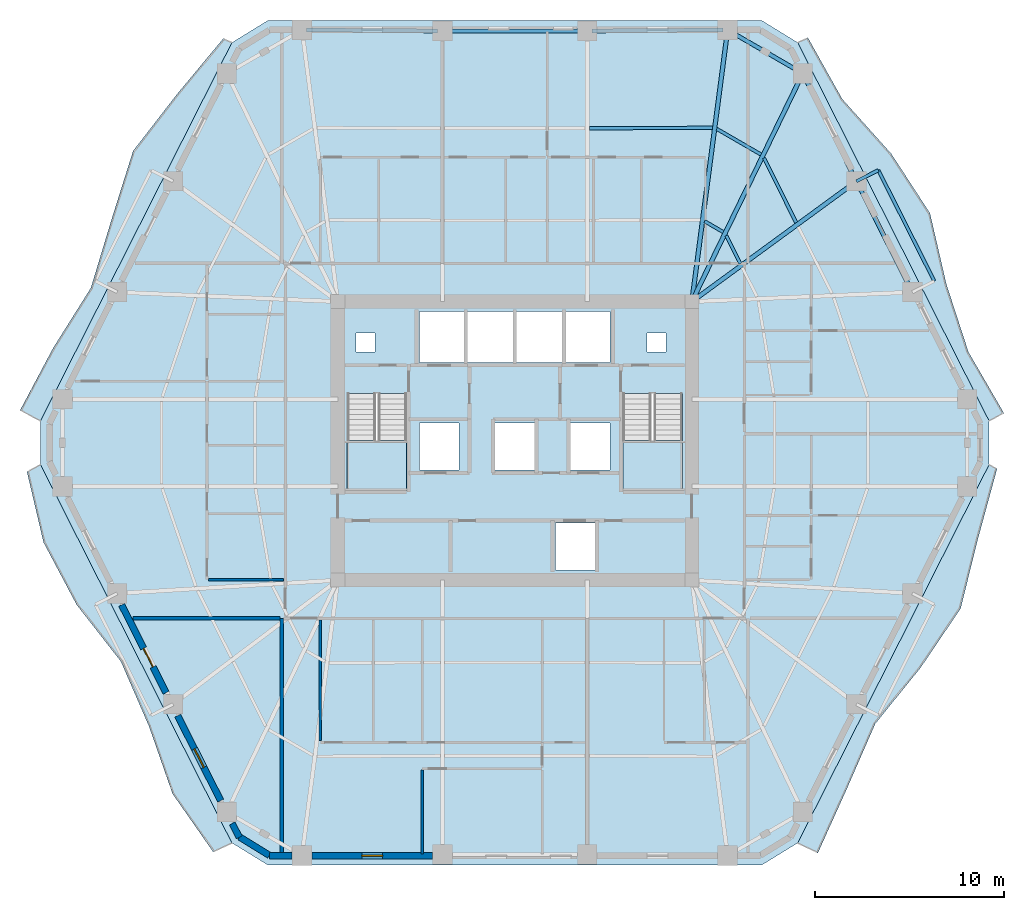
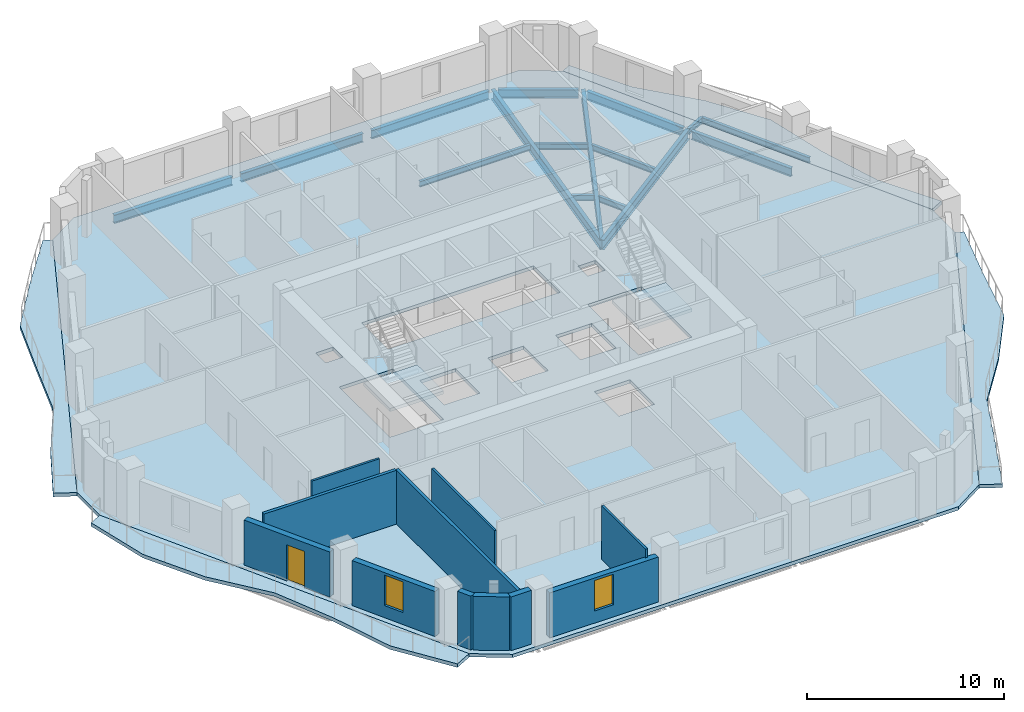
# One storey, part 3 of 11: 16 beams, 11 walls, 7 slabs, 2 windows, 1 door, 3 openings, 2 elements without a shape of their own.
"""IFC4 building model written with IfcOpenShell, lengths in metres."""

from ifc_helpers import new_model, si_unit, direction, frame, frame_2d, origin, origin_2d, place, context, subcontext, project, spatial, polyline, rectangle, i_section, outline, extrude, material, layer, layer_set, material_profile, profile_set, type_object, element, fill, aggregate, save


model = new_model("IFC4")

# Units and contexts
model_context = context("Model", 3, precision=1e-05, world=origin(), true_north=direction((0.0, 1.0)))
body_context = subcontext(model_context, "Body", "Model", "MODEL_VIEW")
ifc_project = project(units=[si_unit("LENGTHUNIT", "METRE"), si_unit("AREAUNIT", "SQUARE_METRE"), si_unit("VOLUMEUNIT", "CUBIC_METRE"), si_unit("PLANEANGLEUNIT", "RADIAN"), si_unit("MASSUNIT", "GRAM", prefix="KILO")], contexts=[model_context])

# Site, building, storey
site_placement = place(None, origin())
site = spatial("IfcSite", under=ifc_project, at=site_placement, CompositionType="ELEMENT")
building_placement = place(site_placement, origin())
building = spatial("IfcBuilding", under=site, at=building_placement, Name="Cinnabar Lancet Tower", CompositionType="ELEMENT")
storey_placement = place(building_placement, frame((0.0, 0.0, 105.5)))
storey = spatial("IfcBuildingStorey", under=building, at=storey_placement, Name="L27", CompositionType="ELEMENT", Elevation=105.5)

# Beams
ifc_material_1 = material(Name="Structural steel S355", Category="steel")
ifc_material_profile_1 = material_profile(ifc_material_1, i_section(OverallWidth=0.17138671875, OverallDepth=0.35498046875, WebThickness=0.00732421875, FlangeThickness=0.011474609375, FilletRadius=0.01025390625, at=origin_2d()), Name="UKB 356x171x51")
ifc_profile_set_1 = profile_set([ifc_material_profile_1], Name="Structural steel S355")
beam_type_1 = type_object("IfcBeamType", Name="STR-BM-JST-356", PredefinedType="JOIST", material=ifc_profile_set_1)
beam_1_placement = place(storey_placement, frame((47.300048828125, 37.455078125, -0.386962890625), z_axis=(-0.445116798807, 0.895472520751, 0.0), x_axis=(-0.895472520751, -0.445116798807, 0.0)))
element("IfcBeam", 1, at=beam_1_placement, inside=storey, type_object=beam_type_1, Name="L27 Secondary Floor Joist 29", PredefinedType="JOIST", context=body_context, shape_type="SweptSolid", body=[
    extrude(i_section(OverallWidth=0.17138671875, OverallDepth=0.35498046875, WebThickness=0.00732421875, FlangeThickness=0.011474609375, FilletRadius=0.01025390625, at=origin_2d()), origin(), (0.0, 0.0, 1.0), 3.8212890625),
])
beam_2_placement = place(storey_placement, frame((44.337890625, 35.2900390625, -0.386962890625), z_axis=(-0.445677136949, 0.895193772097, 0.0), x_axis=(-0.895193772097, -0.445677136949, 0.0)))
element("IfcBeam", 2, at=beam_2_placement, inside=storey, type_object=beam_type_1, Name="L27 Secondary Floor Joist 30", PredefinedType="JOIST", context=body_context, shape_type="SweptSolid", body=[
    extrude(i_section(OverallWidth=0.17138671875, OverallDepth=0.35498046875, WebThickness=0.00732421875, FlangeThickness=0.011474609375, FilletRadius=0.01025390625, at=origin_2d()), origin(), (0.0, 0.0, 1.0), 1.6533203125),
])
beam_3_placement = place(storey_placement, frame((45.43505859375, 41.06298828125, -0.386962890625), z_axis=(-0.865172906898, 0.501473669469, 0.0), x_axis=(-0.501473669469, -0.865172906898, 0.0)))
element("IfcBeam", 3, at=beam_3_placement, inside=storey, type_object=beam_type_1, Name="L27 Secondary Floor Joist 31", PredefinedType="JOIST", context=body_context, shape_type="SweptSolid", body=[
    extrude(i_section(OverallWidth=0.17138671875, OverallDepth=0.35498046875, WebThickness=0.00732421875, FlangeThickness=0.011474609375, FilletRadius=0.01025390625, at=origin_2d()), origin(), (0.0, 0.0, 1.0), 2.705810546875),
])
beam_4_placement = place(storey_placement, frame((43.43798828125, 36.9560546875, -0.386962890625), z_axis=(-0.865055308165, 0.501676503154, 0.0), x_axis=(-0.501676503154, -0.865055308165, 0.0)))
element("IfcBeam", 4, at=beam_4_placement, inside=storey, type_object=beam_type_1, Name="L27 Secondary Floor Joist 32", PredefinedType="JOIST", context=body_context, shape_type="SweptSolid", body=[
    extrude(i_section(OverallWidth=0.17138671875, OverallDepth=0.35498046875, WebThickness=0.00732421875, FlangeThickness=0.011474609375, FilletRadius=0.01025390625, at=origin_2d()), origin(), (0.0, 0.0, 1.0), 1.14208984375),
])
beam_5_placement = place(storey_placement, frame((42.8720703125, 42.48095703125, -0.386962890625), z_axis=(-0.999987991898, -0.004900618269, 0.0), x_axis=(0.004900618269, -0.999987991898, 0.0)))
element("IfcBeam", 5, at=beam_5_placement, inside=storey, type_object=beam_type_1, Name="L27 Secondary Floor Joist 33", PredefinedType="JOIST", context=body_context, shape_type="SweptSolid", body=[
    extrude(i_section(OverallWidth=0.17138671875, OverallDepth=0.35498046875, WebThickness=0.00732421875, FlangeThickness=0.011474609375, FilletRadius=0.01025390625, at=origin_2d()), origin(), (0.0, 0.0, 1.0), 6.526123046875),
])
ifc_material_2 = material(Name="Structural steel S355", Category="steel")
ifc_material_profile_2 = material_profile(ifc_material_2, i_section(OverallWidth=0.209228515625, OverallDepth=0.533203125, WebThickness=0.010009765625, FlangeThickness=0.015625, FilletRadius=0.0126953125, at=origin_2d()), Name="UKB 533x210x92")
ifc_profile_set_2 = profile_set([ifc_material_profile_2], Name="Structural steel S355")
beam_type_2 = type_object("IfcBeamType", Name="STR-BM-SPN-533", PredefinedType="SPANDREL", material=ifc_profile_set_2)
beam_6_placement = place(storey_placement, frame((53.339111328125, 33.9990234375, -0.47705078125), z_axis=(-0.450570325924, 0.892740937449, 0.0), x_axis=(-0.892740937449, -0.450570325924, 0.0)))
element("IfcBeam", 6, at=beam_6_placement, inside=storey, type_object=beam_type_2, Name="L27 Perimeter Spandrel 10", PredefinedType="SPANDREL", context=body_context, shape_type="SweptSolid", body=[
    extrude(i_section(OverallWidth=0.209228515625, OverallDepth=0.533203125, WebThickness=0.010009765625, FlangeThickness=0.015625, FilletRadius=0.0126953125, at=origin_2d()), origin(), (0.0, 0.0, 1.0), 6.07470703125),
])
beam_7_placement = place(storey_placement, frame((50.3779296875, 39.868896484375, -0.47705078125), z_axis=(-0.445501068635, 0.89528140707, 0.0), x_axis=(-0.89528140707, -0.445501068635, 0.0)))
element("IfcBeam", 7, at=beam_7_placement, inside=storey, type_object=beam_type_2, Name="L27 Perimeter Spandrel 11", PredefinedType="SPANDREL", context=body_context, shape_type="SweptSolid", body=[
    extrude(i_section(OverallWidth=0.209228515625, OverallDepth=0.533203125, WebThickness=0.010009765625, FlangeThickness=0.015625, FilletRadius=0.0126953125, at=origin_2d()), origin(), (0.0, 0.0, 1.0), 5.87646484375),
])
beam_8_placement = place(storey_placement, frame((47.43310546875, 45.47900390625, -0.47705078125), z_axis=(-0.865138129765, 0.5015336643, 0.0), x_axis=(-0.5015336643, -0.865138129765, 0.0)))
element("IfcBeam", 8, at=beam_8_placement, inside=storey, type_object=beam_type_2, Name="L27 Perimeter Spandrel 12", PredefinedType="SPANDREL", context=body_context, shape_type="SweptSolid", body=[
    extrude(i_section(OverallWidth=0.209228515625, OverallDepth=0.533203125, WebThickness=0.010009765625, FlangeThickness=0.015625, FilletRadius=0.0126953125, at=origin_2d()), origin(), (0.0, 0.0, 1.0), 4.10107421875),
])
beam_9_placement = place(storey_placement, frame((43.4189453125, 47.658935546875, -0.47705078125), z_axis=(-0.999975228682, -0.007038609338, 0.0), x_axis=(0.007038609338, -0.999975228682, 0.0)))
element("IfcBeam", 9, at=beam_9_placement, inside=storey, type_object=beam_type_2, Name="L27 Perimeter Spandrel 13", PredefinedType="SPANDREL", context=body_context, shape_type="SweptSolid", body=[
    extrude(i_section(OverallWidth=0.209228515625, OverallDepth=0.533203125, WebThickness=0.010009765625, FlangeThickness=0.015625, FilletRadius=0.0126953125, at=origin_2d()), origin(), (0.0, 0.0, 1.0), 6.937255859375),
])
beam_10_placement = place(storey_placement, frame((35.98193359375, 47.60791015625, -0.47705078125), z_axis=(-1.0, 0.0, 0.0), x_axis=(0.0, -1.0, 0.0)))
element("IfcBeam", 10, at=beam_10_placement, inside=storey, type_object=beam_type_2, Name="L27 Perimeter Spandrel 14", PredefinedType="SPANDREL", context=body_context, shape_type="SweptSolid", body=[
    extrude(i_section(OverallWidth=0.209228515625, OverallDepth=0.533203125, WebThickness=0.010009765625, FlangeThickness=0.015625, FilletRadius=0.0126953125, at=origin_2d()), origin(), (0.0, 0.0, 1.0), 7.163818359375),
])
beam_11_placement = place(storey_placement, frame((28.318115234375, 47.610107421875, -0.47705078125), z_axis=(-0.999975228682, 0.007038609338, 0.0), x_axis=(-0.007038609338, -0.999975228682, 0.0)))
element("IfcBeam", 11, at=beam_11_placement, inside=storey, type_object=beam_type_2, Name="L27 Perimeter Spandrel 15", PredefinedType="SPANDREL", context=body_context, shape_type="SweptSolid", body=[
    extrude(i_section(OverallWidth=0.209228515625, OverallDepth=0.533203125, WebThickness=0.010009765625, FlangeThickness=0.015625, FilletRadius=0.0126953125, at=origin_2d()), origin(), (0.0, 0.0, 1.0), 6.937255859375),
])
ifc_material_3 = material(Name="Structural steel S355", Category="steel")
ifc_material_profile_3 = material_profile(ifc_material_3, i_section(OverallWidth=0.228271484375, OverallDepth=0.607666015625, WebThickness=0.010986328125, FlangeThickness=0.017333984375, FilletRadius=0.0126953125, at=origin_2d()), Name="UKB 610x229x113")
ifc_profile_set_3 = profile_set([ifc_material_profile_3], Name="Structural steel S355")
beam_type_3 = type_object("IfcBeamType", Name="STR-BM-UKB610-113", PredefinedType="BEAM", material=ifc_profile_set_3)
beam_12_placement = place(storey_placement, frame((50.489013671875, 39.64501953125, -0.513916015625), z_axis=(-0.807297870919, -0.590144175273, 0.0), x_axis=(0.590144175273, -0.807297870919, 0.0)))
element("IfcBeam", 12, at=beam_12_placement, inside=storey, type_object=beam_type_3, Name="L27 Corner Collector Girder 3", PredefinedType="BEAM", context=body_context, shape_type="SweptSolid", body=[
    extrude(i_section(OverallWidth=0.228271484375, OverallDepth=0.607666015625, WebThickness=0.010986328125, FlangeThickness=0.017333984375, FilletRadius=0.0126953125, at=origin_2d()), origin(), (0.0, 0.0, 1.0), 10.794189453125),
])
beam_13_placement = place(storey_placement, frame((47.64892578125, 45.35400390625, -0.513916015625), z_axis=(-0.437327473227, -0.899302330232, 0.0), x_axis=(0.899302330232, -0.437327473227, 0.0)))
element("IfcBeam", 13, at=beam_13_placement, inside=storey, type_object=beam_type_3, Name="L27 Primary Floor Girder 12", PredefinedType="BEAM", context=body_context, shape_type="SweptSolid", body=[
    extrude(i_section(OverallWidth=0.228271484375, OverallDepth=0.607666015625, WebThickness=0.010986328125, FlangeThickness=0.017333984375, FilletRadius=0.0126953125, at=origin_2d()), origin(), (0.0, 0.0, 1.0), 13.431640625),
])
beam_14_placement = place(storey_placement, frame((43.6689453125, 47.660888671875, -0.513916015625), z_axis=(-0.130532420418, -0.991444041396, 0.0), x_axis=(0.991444041396, -0.130532420418, 0.0)))
element("IfcBeam", 14, at=beam_14_placement, inside=storey, type_object=beam_type_3, Name="L27 Primary Floor Girder 13", PredefinedType="BEAM", context=body_context, shape_type="SweptSolid", body=[
    extrude(i_section(OverallWidth=0.228271484375, OverallDepth=0.607666015625, WebThickness=0.010986328125, FlangeThickness=0.017333984375, FilletRadius=0.0126953125, at=origin_2d()), origin(), (0.0, 0.0, 1.0), 14.51025390625),
])
ifc_material_4 = material(Name="Structural steel S355", Category="steel")
ifc_material_profile_4 = material_profile(ifc_material_4, i_section(OverallWidth=0.17138671875, OverallDepth=0.35498046875, WebThickness=0.00732421875, FlangeThickness=0.011474609375, FilletRadius=0.01025390625, at=origin_2d()), Name="UKB 356x171x51")
ifc_profile_set_4 = profile_set([ifc_material_profile_4], Name="Structural steel S355")
beam_type_4 = type_object("IfcBeamType", Name="STR-BM-WAV-OUT", PredefinedType="BEAM", material=ifc_profile_set_4)
beam_15_placement = place(storey_placement, frame((50.489013671875, 39.64501953125, -0.39697265625), z_axis=(0.89227592947, 0.451490493464, 0.0), x_axis=(-0.451490493464, 0.89227592947, 0.0)))
element("IfcBeam", 15, at=beam_15_placement, inside=storey, type_object=beam_type_4, Name="L27 Face 3 Balcony Outlooker B", PredefinedType="BEAM", context=body_context, shape_type="SweptSolid", body=[
    extrude(i_section(OverallWidth=0.17138671875, OverallDepth=0.35498046875, WebThickness=0.00732421875, FlangeThickness=0.011474609375, FilletRadius=0.01025390625, at=origin_2d()), origin(), (0.0, 0.0, 1.0), 1.300048828125),
])
ifc_material_5 = material(Name="Structural steel S355", Category="steel")
ifc_material_profile_5 = material_profile(ifc_material_5, i_section(OverallWidth=0.17138671875, OverallDepth=0.35498046875, WebThickness=0.00732421875, FlangeThickness=0.011474609375, FilletRadius=0.01025390625, at=origin_2d()), Name="UKB 356x171x51")
ifc_profile_set_5 = profile_set([ifc_material_profile_5], Name="Structural steel S355")
beam_type_5 = type_object("IfcBeamType", Name="STR-BM-WAV-TRIM", PredefinedType="SPANDREL", material=ifc_profile_set_5)
beam_16_placement = place(storey_placement, frame((54.612060546875, 34.363037109375, -0.39697265625), z_axis=(-0.450700828166, 0.892675060417, 0.0), x_axis=(-0.892675060417, -0.450700828166, 0.0)))
element("IfcBeam", 16, at=beam_16_placement, inside=storey, type_object=beam_type_5, Name="L27 Face 3 Balcony Edge Trimmer", PredefinedType="SPANDREL", context=body_context, shape_type="SweptSolid", body=[
    extrude(i_section(OverallWidth=0.17138671875, OverallDepth=0.35498046875, WebThickness=0.00732421875, FlangeThickness=0.011474609375, FilletRadius=0.01025390625, at=origin_2d()), origin(), (0.0, 0.0, 1.0), 6.574462890625),
])

# Stair, slab
ifc_material_6 = material(Name="Concrete C40/50", Category="concrete")
stair_type = type_object("IfcStairType", Name="ST-CORE", PredefinedType="HALF_TURN_STAIR", material=ifc_material_6)
stair_1_placement = place(storey_placement, origin())
stair_1 = element("IfcStair", 17, at=stair_1_placement, inside=storey, type_object=stair_type, Name="L27 ST-1", PredefinedType="HALF_TURN_STAIR")
ifc_material_7 = material(Name="Concrete C40/50", Category="concrete")
ifc_layer_1 = layer(ifc_material_7, 0.199951171875)
ifc_layer_set_1 = layer_set([ifc_layer_1], Name="Concrete C40/50")
slab_type_1 = type_object("IfcSlabType", Name="LANDING-CORE", PredefinedType="LANDING", material=ifc_layer_set_1)
slab_1_placement = place(storey_placement, frame((0.0, 0.0, 1.574951171875)))
slab_1 = element("IfcSlab", 18, at=slab_1_placement, type_object=slab_type_1, Name="ST-1 landing 1", PredefinedType="LANDING", context=body_context, shape_type="SweptSolid", body=[
    extrude(outline(polyline([(23.52490234375, 25.925048828125), (23.52490234375, 23.25), (26.675048828125, 23.25), (26.675048828125, 25.925048828125), (23.52490234375, 25.925048828125)])), origin(), (0.0, 0.0, 1.0), 0.199951171875),
])
aggregate(stair_1, [slab_1])

stair_2_placement = place(storey_placement, origin())
stair_2 = element("IfcStair", 19, at=stair_2_placement, inside=storey, type_object=stair_type, Name="L27 ST-2", PredefinedType="HALF_TURN_STAIR")
slab_2_placement = place(storey_placement, frame((0.0, 0.0, 1.574951171875)))
slab_2 = element("IfcSlab", 20, at=slab_2_placement, type_object=slab_type_1, Name="ST-2 landing 1", PredefinedType="LANDING", context=body_context, shape_type="SweptSolid", body=[
    extrude(outline(polyline([(38.125, 25.925048828125), (38.125, 23.25), (41.27490234375, 23.25), (41.27490234375, 25.925048828125), (38.125, 25.925048828125)])), origin(), (0.0, 0.0, 1.0), 0.199951171875),
])
aggregate(stair_2, [slab_2])

# Slabs
ifc_material_8 = material(Name="Concrete C40/50", Category="concrete")
ifc_layer_2 = layer(ifc_material_8, 0.2099609375)
ifc_layer_set_2 = layer_set([ifc_layer_2], Name="Concrete C40/50")
slab_type_2 = type_object("IfcSlabType", Name="STR-SLB-FLR-210", PredefinedType="FLOOR", material=ifc_layer_set_2)
slab_3_placement = place(storey_placement, frame((0.0, 0.0, -0.2099609375)))
element("IfcSlab", 21, at=slab_3_placement, inside=storey, type_object=slab_type_2, Name="L27 Structural Floor Slab", PredefinedType="FLOOR", context=body_context, shape_type="SweptSolid", body=[
    extrude(outline(polyline([(17.4208984375, 4.610107421875), (19.30810546875, 3.449951171875), (45.491943359375, 3.449951171875), (47.37890625, 4.610107421875), (57.512939453125, 24.639892578125), (57.512939453125, 26.9599609375), (47.37890625, 46.989990234375), (45.491943359375, 48.14990234375), (19.30810546875, 48.14990234375), (17.4208984375, 46.989990234375), (7.287109375, 26.9599609375), (7.287109375, 24.639892578125), (17.4208984375, 4.610107421875)]), holes=[polyline([(23.52490234375, 23.25), (26.675048828125, 23.25), (26.675048828125, 28.3994140625), (23.52490234375, 28.3994140625), (23.52490234375, 23.25)]), polyline([(38.125, 23.25), (41.27490234375, 23.25), (41.27490234375, 28.3994140625), (38.125, 28.3994140625), (38.125, 23.25)]), polyline([(27.35009765625, 30.050048828125), (37.449951171875, 30.050048828125), (37.449951171875, 32.75), (27.35009765625, 32.75), (27.35009765625, 30.050048828125)]), polyline([(34.550048828125, 19.050048828125), (36.64990234375, 19.050048828125), (36.64990234375, 21.550048828125), (34.550048828125, 21.550048828125), (34.550048828125, 19.050048828125)]), polyline([(27.35009765625, 24.35009765625), (29.449951171875, 24.35009765625), (29.449951171875, 26.85009765625), (27.35009765625, 26.85009765625), (27.35009765625, 24.35009765625)]), polyline([(35.35009765625, 24.35009765625), (37.449951171875, 24.35009765625), (37.449951171875, 26.85009765625), (35.35009765625, 26.85009765625), (35.35009765625, 24.35009765625)]), polyline([(31.35009765625, 24.35009765625), (33.449951171875, 24.35009765625), (33.449951171875, 26.85009765625), (31.35009765625, 26.85009765625), (31.35009765625, 24.35009765625)]), polyline([(24.0, 30.60009765625), (25.0, 30.60009765625), (25.0, 31.60009765625), (24.0, 31.60009765625), (24.0, 30.60009765625)]), polyline([(39.39990234375, 30.60009765625), (40.39990234375, 30.60009765625), (40.39990234375, 31.60009765625), (39.39990234375, 31.60009765625), (39.39990234375, 30.60009765625)])]), origin(), (0.0, 0.0, 1.0), 0.2099609375),
])
ifc_material_9 = material(Name="Concrete C45/55", Category="concrete")
ifc_layer_3 = layer(ifc_material_9, 0.219970703125)
ifc_layer_set_3 = layer_set([ifc_layer_3], Name="Concrete C45/55")
slab_type_3 = type_object("IfcSlabType", Name="STR-SLB-WAV-220", PredefinedType="FLOOR", material=ifc_layer_set_3)
slab_4_placement = place(storey_placement, frame((0.0, 0.0, -0.219970703125)))
element("IfcSlab", 22, at=slab_4_placement, inside=storey, type_object=slab_type_3, Name="L27 Face 2 Undulating Wave Balcony Slab", PredefinedType="FLOOR", context=body_context, shape_type="SweptSolid", body=[
    extrude(outline(polyline([(47.37890625, 4.610107421875), (48.443115234375, 4.072021484375), (49.98291015625, 7.485107421875), (51.48291015625, 10.9189453125), (53.888916015625, 13.89501953125), (56.0029296875, 17.01806640625), (56.929931640625, 20.741943359375), (57.93603515625, 24.426025390625), (57.512939453125, 24.639892578125), (47.37890625, 4.610107421875)])), origin(), (0.0, 0.0, 1.0), 0.219970703125),
])
slab_5_placement = place(storey_placement, frame((0.0, 0.0, -0.219970703125)))
element("IfcSlab", 23, at=slab_5_placement, inside=storey, type_object=slab_type_3, Name="L27 Face 3 Undulating Wave Balcony Slab", PredefinedType="FLOOR", context=body_context, shape_type="SweptSolid", body=[
    extrude(outline(polyline([(57.512939453125, 26.9599609375), (58.302978515625, 27.360107421875), (56.422119140625, 30.60107421875), (55.25, 34.200927734375), (54.383056640625, 37.955078125), (52.330078125, 41.10888671875), (49.741943359375, 43.992919921875), (47.9130859375, 47.260009765625), (47.37890625, 46.989990234375), (57.512939453125, 26.9599609375)])), origin(), (0.0, 0.0, 1.0), 0.219970703125),
])
slab_6_placement = place(storey_placement, frame((0.0, 0.0, -0.219970703125)))
element("IfcSlab", 24, at=slab_6_placement, inside=storey, type_object=slab_type_3, Name="L27 Face 5 Undulating Wave Balcony Slab", PredefinedType="FLOOR", context=body_context, shape_type="SweptSolid", body=[
    extrude(outline(polyline([(17.4208984375, 46.989990234375), (16.97509765625, 47.216064453125), (14.51904296875, 44.264892578125), (12.18896484375, 41.251953125), (11.051025390625, 37.634033203125), (9.951904296875, 33.9970703125), (7.9541015625, 30.81494140625), (6.199951171875, 27.510009765625), (7.287109375, 26.9599609375), (17.4208984375, 46.989990234375)])), origin(), (0.0, 0.0, 1.0), 0.219970703125),
])
slab_7_placement = place(storey_placement, frame((0.0, 0.0, -0.219970703125)))
element("IfcSlab", 25, at=slab_7_placement, inside=storey, type_object=slab_type_3, Name="L27 Face 6 Undulating Wave Balcony Slab", PredefinedType="FLOOR", context=body_context, shape_type="SweptSolid", body=[
    extrude(outline(polyline([(7.287109375, 24.639892578125), (6.56689453125, 24.27587890625), (7.446044921875, 20.527099609375), (9.199951171875, 17.221923828125), (11.544921875, 14.216064453125), (13.034912109375, 10.777099609375), (14.278076171875, 7.212890625), (16.444091796875, 4.115966796875), (17.4208984375, 4.610107421875), (7.287109375, 24.639892578125)])), origin(), (0.0, 0.0, 1.0), 0.219970703125),
])

# Walls
ifc_material_10 = material(Name="Fire-rated twin-frame acoustic drywall", Category="gypsum")
ifc_layer_4 = layer(ifc_material_10, 0.179931640625)
ifc_layer_set_4 = layer_set([ifc_layer_4], Name="Fire-rated twin-frame acoustic drywall")
wall_type_1 = type_object("IfcWallType", Name="ARC-WL-PARTY-180", PredefinedType="PARTITIONING", material=ifc_layer_set_4)
wall_1_placement = place(storey_placement, frame((20.050048828125, 4.10498046875, 0.0), z_axis=(0.0, 0.0, 1.0), x_axis=(0.0, 1.0, 0.0)))
element("IfcWall", 26, at=wall_1_placement, inside=storey, type_object=wall_type_1, Name="PW-L27-SPTY-200", PredefinedType="PARTITIONING", context=body_context, shape_type="SweptSolid", body=[
    extrude(rectangle(XDim=12.39501953125, YDim=0.179931640625, at=frame_2d((6.197509765625, 0.0))), origin(), (0.0, 0.0, 1.0), 3.340087890625),
])
wall_2_placement = place(storey_placement, frame((12.18505859375, 16.5, 0.0), z_axis=(0.0, 0.0, 1.0), x_axis=(1.0, 0.0, 0.0)))
element("IfcWall", 27, at=wall_2_placement, inside=storey, type_object=wall_type_1, Name="PW-L27-WSB", PredefinedType="PARTITIONING", context=body_context, shape_type="SweptSolid", body=[
    extrude(rectangle(XDim=7.77001953125, YDim=0.179931640625, at=frame_2d((3.885009765625, 0.0))), origin(), (0.0, 0.0, 1.0), 3.340087890625),
])
ifc_material_11 = material(Name="Gypsum plasterboard stud partition", Category="gypsum")
ifc_layer_5 = layer(ifc_material_11, 0.125)
ifc_layer_set_5 = layer_set([ifc_layer_5], Name="Gypsum plasterboard stud partition")
wall_type_2 = type_object("IfcWallType", Name="ARC-WL-UNIT-125", PredefinedType="PARTITIONING", material=ifc_layer_set_5)
wall_3_placement = place(storey_placement, frame((22.10009765625, 10.035888671875, 0.0), z_axis=(0.0, 0.0, 1.0), x_axis=(0.0, 1.0, 0.0)))
element("IfcWall", 28, at=wall_3_placement, inside=storey, type_object=wall_type_2, Name="UW-L27-S01-FOYE", PredefinedType="PARTITIONING", context=body_context, shape_type="SweptSolid", body=[
    extrude(rectangle(XDim=6.379150390625, YDim=0.125, at=frame_2d((3.189453125, 0.0))), origin(), (0.0, 0.0, 1.0), 2.721923828125),
])
wall_4_placement = place(storey_placement, frame((27.493896484375, 4.014892578125, 0.0), z_axis=(0.0, 0.0, 1.0), x_axis=(0.0, 1.0, 0.0)))
element("IfcWall", 29, at=wall_4_placement, inside=storey, type_object=wall_type_2, Name="UW-L27-S01-BD2W", PredefinedType="PARTITIONING", context=body_context, shape_type="SweptSolid", body=[
    extrude(rectangle(XDim=4.451171875, YDim=0.125, at=frame_2d((2.2255859375, 0.0))), origin(), (0.0, 0.0, 1.0), 3.340087890625),
])
wall_5_placement = place(storey_placement, frame((16.18505859375, 18.550048828125, 0.0), z_axis=(0.0, 0.0, 1.0), x_axis=(1.0, 0.0, 0.0)))
element("IfcWall", 30, at=wall_5_placement, inside=storey, type_object=wall_type_2, Name="UW-L27-W01-FOYN", PredefinedType="PARTITIONING", context=body_context, shape_type="SweptSolid", body=[
    extrude(rectangle(XDim=3.97998046875, YDim=0.125, at=frame_2d((1.989990234375, 0.0))), origin(), (0.0, 0.0, 1.0), 2.721923828125),
])
ifc_material_12 = material(Name="Cinnabar red clay brick", Category="masonry")
ifc_layer_6 = layer(ifc_material_12, 0.340087890625)
ifc_layer_set_6 = layer_set([ifc_layer_6], Name="Cinnabar red clay brick")
wall_type_3 = type_object("IfcWallType", Name="ENV-WL-BRK-RED-340", PredefinedType="STANDARD", material=ifc_layer_set_6)
wall_6_placement = place(storey_placement, frame((17.8291015625, 4.923095703125, 0.0), z_axis=(0.0, 0.0, 1.0), x_axis=(0.851798915137, -0.523868884523, 0.0)))
element("IfcWall", 31, at=wall_6_placement, inside=storey, type_object=wall_type_3, Name="L27 Chamfered Corner Brick Pier 1.1", PredefinedType="STANDARD", context=body_context, shape_type="SweptSolid", body=[
    extrude(rectangle(XDim=1.847900390625, YDim=0.340087890625, at=frame_2d((0.923828125, 0.0))), origin(), (0.0, 0.0, 1.0), 3.340087890625),
])
wall_7_placement = place(storey_placement, frame((19.39794921875, 3.929931640625, 0.0), z_axis=(0.0, 0.0, 1.0), x_axis=(1.0, 0.0, 0.0)))
element("IfcWall", 32, at=wall_7_placement, inside=storey, type_object=wall_type_3, Name="L27 Face 1 Masonry Bay Wall 1", PredefinedType="STANDARD", context=body_context, shape_type="SweptSolid", body=[
    extrude(rectangle(XDim=1.2041015625, YDim=0.340087890625, at=frame_2d((0.60205078125, 0.0))), origin(), (0.0, 0.0, 1.0), 3.340087890625),
])

# Wall, opening, window
wall_8_placement = place(storey_placement, frame((21.659912109375, 3.929931640625, 0.0), z_axis=(0.0, 0.0, 1.0), x_axis=(1.0, 0.0, 0.0)))
wall_8 = element("IfcWall", 33, at=wall_8_placement, inside=storey, type_object=wall_type_3, Name="L27 Face 1 Masonry Bay Wall 2", PredefinedType="STANDARD", context=body_context, shape_type="SweptSolid", body=[
    extrude(rectangle(XDim=6.379150390625, YDim=0.340087890625, at=frame_2d((3.189453125, 0.0))), origin(), (0.0, 0.0, 1.0), 2.797119140625),
])
opening_1_placement = place(wall_8_placement, frame((2.639892578125, 0.0, 0.75)))
opening_1 = element("IfcOpeningElement", 34, at=opening_1_placement, cuts=wall_8, Name="Opening WN-04", PredefinedType="OPENING", context=body_context, shape_type="SweptSolid", body=[
    extrude(rectangle(XDim=1.10009765625, YDim=1.89697265625, at=frame_2d((0.550048828125, 0.948486328125))), frame((0.0, 0.179931640625, 0.0), z_axis=(0.0, -1.0, 0.0), x_axis=(1.0, 0.0, 0.0)), (0.0, 0.0, 1.0), 0.360107421875),
])
ifc_material_13 = material(Name="Thermally broken bronze-anodized aluminium tall lancet window", Category="aluminium")
window_type = type_object("IfcWindowType", Name="ENV-WN-LANCET-1100", PartitioningType="SINGLE_PANEL", PredefinedType="WINDOW", material=ifc_material_13)
window_1_placement = place(opening_1_placement, origin())
window_1 = element("IfcWindow", 35, at=window_1_placement, inside=storey, type_object=window_type, Name="L27 Face 1 Gothic Lancet Window 2", OverallHeight=1.89697265625, OverallWidth=1.10009765625, PartitioningType="SINGLE_PANEL", PredefinedType="WINDOW", context=body_context, shape_type="SweptSolid", body=[
    extrude(rectangle(XDim=1.10009765625, YDim=1.89697265625, at=frame_2d((0.550048828125, 0.948486328125))), frame((0.0, 0.030029296875, 0.0), z_axis=(0.0, -1.0, 0.0), x_axis=(1.0, 0.0, 0.0)), (0.0, 0.0, 1.0), 0.06005859375),
])
fill(opening_1, window_1)

# Wall, opening, door
wall_9_placement = place(storey_placement, frame((11.580078125, 17.218017578125, 0.0), z_axis=(0.0, 0.0, 1.0), x_axis=(0.451567731634, -0.892236842855, 0.0)))
wall_9 = element("IfcWall", 36, at=wall_9_placement, inside=storey, type_object=wall_type_3, Name="L27 Face 6 Masonry Bay Wall 3", PredefinedType="STANDARD", context=body_context, shape_type="SweptSolid", body=[
    extrude(rectangle(XDim=5.219482421875, YDim=0.340087890625, at=frame_2d((2.60986328125, 0.0))), origin(), (0.0, 0.0, 1.0), 2.797119140625),
])
opening_2_placement = place(wall_9_placement, frame((2.5869140625, 0.0, 0.0)))
opening_2 = element("IfcOpeningElement", 37, at=opening_2_placement, cuts=wall_9, Name="Opening TD-01", PredefinedType="OPENING", context=body_context, shape_type="SweptSolid", body=[
    extrude(rectangle(XDim=1.10009765625, YDim=2.25, at=frame_2d((0.550048828125, 1.125))), frame((0.0, 0.179931640625, 0.0), z_axis=(0.0, -1.0, 0.0), x_axis=(1.0, 0.0, 0.0)), (0.0, 0.0, 1.0), 0.360107421875),
])
ifc_material_14 = material(Name="Thermally broken low-E glazed balcony terrace door", Category="wood")
door_type = type_object("IfcDoorType", Name="ARC-DR-BALC", OperationType="NOTDEFINED", PredefinedType="DOOR", material=ifc_material_14)
door_placement = place(opening_2_placement, origin())
door = element("IfcDoor", 38, at=door_placement, inside=storey, type_object=door_type, Name="L27 Face 6 Glazed Terrace Door", OperationType="SINGLE_SWING_LEFT", OverallHeight=2.25, OverallWidth=1.10009765625, PredefinedType="DOOR", context=body_context, shape_type="SweptSolid", body=[
    extrude(rectangle(XDim=1.10009765625, YDim=2.25, at=frame_2d((0.550048828125, 1.125))), frame((0.0, 0.02490234375, 0.0), z_axis=(0.0, -1.0, 0.0), x_axis=(1.0, 0.0, 0.0)), (0.0, 0.0, 1.0), 0.050048828125),
])
fill(opening_2, door)

# Wall, opening, window
wall_10_placement = place(storey_placement, frame((14.549072265625, 11.34912109375, 0.0), z_axis=(0.0, 0.0, 1.0), x_axis=(0.451548465867, -0.892246593142, 0.0)))
wall_10 = element("IfcWall", 39, at=wall_10_placement, inside=storey, type_object=wall_type_3, Name="L27 Face 6 Masonry Bay Wall 4", PredefinedType="STANDARD", context=body_context, shape_type="SweptSolid", body=[
    extrude(rectangle(XDim=5.040283203125, YDim=0.340087890625, at=frame_2d((2.52001953125, 0.0))), origin(), (0.0, 0.0, 1.0), 2.797119140625),
])
opening_3_placement = place(wall_10_placement, frame((1.969970703125, 0.0, 0.75)))
opening_3 = element("IfcOpeningElement", 40, at=opening_3_placement, cuts=wall_10, Name="Opening WN-04", PredefinedType="OPENING", context=body_context, shape_type="SweptSolid", body=[
    extrude(rectangle(XDim=1.10009765625, YDim=1.89697265625, at=frame_2d((0.550048828125, 0.948486328125))), frame((0.0, 0.179931640625, 0.0), z_axis=(0.0, -1.0, 0.0), x_axis=(1.0, 0.0, 0.0)), (0.0, 0.0, 1.0), 0.360107421875),
])
window_2_placement = place(opening_3_placement, origin())
window_2 = element("IfcWindow", 41, at=window_2_placement, inside=storey, type_object=window_type, Name="L27 Face 6 Gothic Lancet Window 4", OverallHeight=1.89697265625, OverallWidth=1.10009765625, PartitioningType="SINGLE_PANEL", PredefinedType="WINDOW", context=body_context, shape_type="SweptSolid", body=[
    extrude(rectangle(XDim=1.10009765625, YDim=1.89697265625, at=frame_2d((0.550048828125, 0.948486328125))), frame((0.0, 0.030029296875, 0.0), z_axis=(0.0, -1.0, 0.0), x_axis=(1.0, 0.0, 0.0)), (0.0, 0.0, 1.0), 0.06005859375),
])
fill(opening_3, window_2)

# Wall
wall_11_placement = place(storey_placement, frame((17.43798828125, 5.639892578125, 0.0), z_axis=(0.0, 0.0, 1.0), x_axis=(0.45172514337, -0.892157158155, 0.0)))
element("IfcWall", 42, at=wall_11_placement, inside=storey, type_object=wall_type_3, Name="L27 Face 6 Masonry Bay Wall 5", PredefinedType="STANDARD", context=body_context, shape_type="SweptSolid", body=[
    extrude(rectangle(XDim=0.821533203125, YDim=0.340087890625, at=frame_2d((0.41064453125, 0.0))), origin(), (0.0, 0.0, 1.0), 3.340087890625),
])

save(model, "model.ifc")
